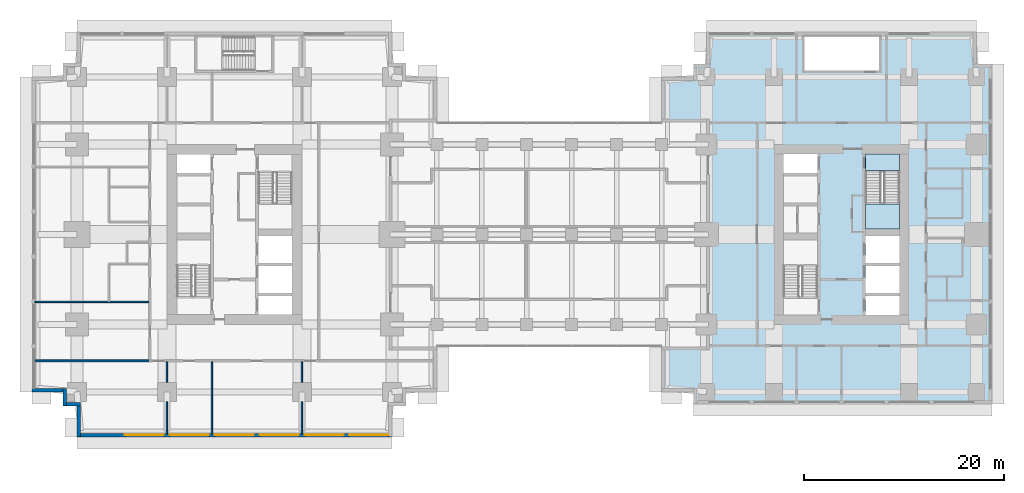
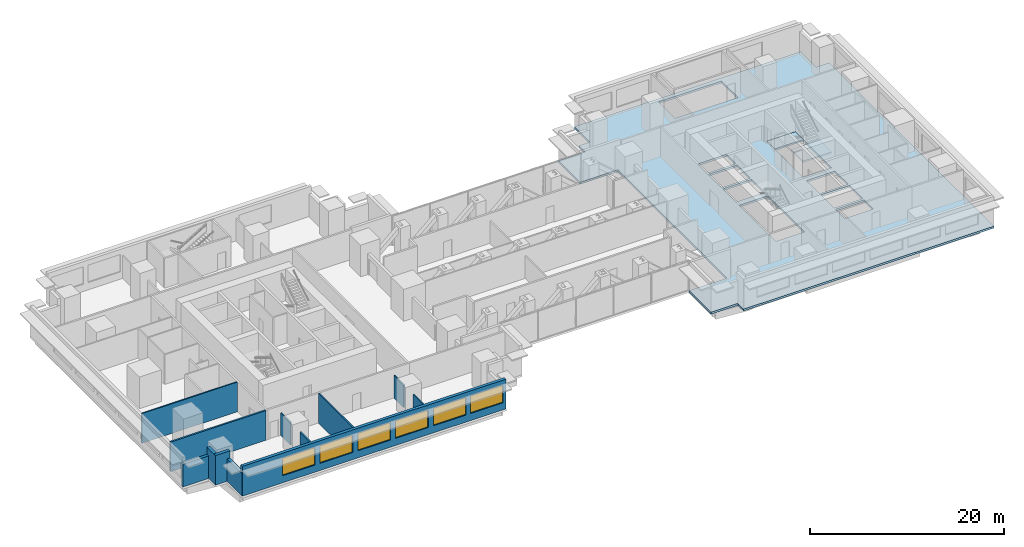
# One storey, part 6 of 14: 12 walls, 6 windows, 3 slabs, 6 openings, 1 element without a shape of its own.
"""IFC4 building model written with IfcOpenShell, lengths in metres."""

from ifc_helpers import new_model, si_unit, direction, frame, frame_2d, origin, place, context, subcontext, project, spatial, polyline, rectangle, outline, extrude, material, layer, layer_set, type_object, element, fill, aggregate, save


model = new_model("IFC4")

# Units and contexts
model_context = context("Model", 3, precision=1e-05, world=origin(), true_north=direction((0.0, 1.0)))
body_context = subcontext(model_context, "Body", "Model", "MODEL_VIEW")
ifc_project = project(units=[si_unit("LENGTHUNIT", "METRE"), si_unit("AREAUNIT", "SQUARE_METRE"), si_unit("VOLUMEUNIT", "CUBIC_METRE"), si_unit("PLANEANGLEUNIT", "RADIAN"), si_unit("MASSUNIT", "GRAM", prefix="KILO")], contexts=[model_context])

# Site, building, storey
site_placement = place(None, origin())
site = spatial("IfcSite", under=ifc_project, at=site_placement, CompositionType="ELEMENT")
building_placement = place(site_placement, origin())
building = spatial("IfcBuilding", under=site, at=building_placement, Name="Namib Vertical Campus", CompositionType="ELEMENT")
storey_placement = place(building_placement, frame((0.0, 0.0, 133.0)))
storey = spatial("IfcBuildingStorey", under=building, at=storey_placement, Name="L31", CompositionType="ELEMENT", Elevation=133.0)

# Slab
ifc_material_1 = material(Name="Concrete C40/50", Category="concrete")
ifc_layer_1 = layer(ifc_material_1, 0.25)
ifc_layer_set_1 = layer_set([ifc_layer_1], Name="Concrete C40/50")
slab_type_1 = type_object("IfcSlabType", Name="Floor slab 250", PredefinedType="FLOOR", material=ifc_layer_set_1)
slab_1_placement = place(storey_placement, frame((0.0, 0.0, -0.25)))
element("IfcSlab", 1, at=slab_1_placement, inside=storey, type_object=slab_type_1, Name="Floor slab B L31", PredefinedType="FLOOR", context=body_context, shape_type="SweptSolid", body=[
    extrude(outline(polyline([(63.0, 9.0), (63.0, 4.5), (66.199951171875, 4.5), (66.199951171875, 3.300048828125), (96.050048828125, 3.300048828125), (96.050048828125, 37.300048828125), (94.5, 37.300048828125), (94.5, 40.5), (67.5, 40.5), (67.5, 37.300048828125), (66.199951171875, 37.300048828125), (66.199951171875, 36.0), (63.0, 36.0), (63.0, 31.5), (67.5, 31.5), (67.5, 9.0), (63.0, 9.0)]), holes=[polyline([(75.199951171875, 12.199951171875), (78.60009765625, 12.199951171875), (78.60009765625, 19.699951171875), (75.199951171875, 19.699951171875), (75.199951171875, 12.199951171875)]), polyline([(83.39990234375, 20.800048828125), (86.800048828125, 20.800048828125), (86.800048828125, 28.300048828125), (83.39990234375, 28.300048828125), (83.39990234375, 20.800048828125)]), polyline([(83.39990234375, 12.199951171875), (86.800048828125, 12.199951171875), (86.800048828125, 14.10009765625), (83.39990234375, 14.10009765625), (83.39990234375, 12.199951171875)]), polyline([(75.199951171875, 20.39990234375), (78.60009765625, 20.39990234375), (78.60009765625, 23.10009765625), (75.199951171875, 23.10009765625), (75.199951171875, 20.39990234375)]), polyline([(75.199951171875, 23.39990234375), (78.60009765625, 23.39990234375), (78.60009765625, 26.10009765625), (75.199951171875, 26.10009765625), (75.199951171875, 23.39990234375)]), polyline([(75.199951171875, 26.39990234375), (78.60009765625, 26.39990234375), (78.60009765625, 28.300048828125), (75.199951171875, 28.300048828125), (75.199951171875, 26.39990234375)]), polyline([(83.39990234375, 14.39990234375), (86.800048828125, 14.39990234375), (86.800048828125, 17.10009765625), (83.39990234375, 17.10009765625), (83.39990234375, 14.39990234375)]), polyline([(83.39990234375, 17.39990234375), (86.800048828125, 17.39990234375), (86.800048828125, 20.10009765625), (83.39990234375, 20.10009765625), (83.39990234375, 17.39990234375)]), polyline([(77.25, 36.60009765625), (84.75, 36.60009765625), (84.75, 40.0), (77.25, 40.0), (77.25, 36.60009765625)])]), origin(), (0.0, 0.0, 1.0), 0.25),
])

# Stair, slabs
ifc_material_2 = material(Name="Concrete C40/50 precast", Category="concrete")
stair_type = type_object("IfcStairType", Name="Exit stair 4000 rise 24 risers 3400 wide", PredefinedType="HALF_TURN_STAIR", material=ifc_material_2)
stair_placement = place(storey_placement, origin())
stair = element("IfcStair", 2, at=stair_placement, inside=storey, type_object=stair_type, Name="Exit stair B-S2 L31", PredefinedType="HALF_TURN_STAIR")
ifc_material_3 = material(Name="Concrete C40/50", Category="concrete")
ifc_layer_2 = layer(ifc_material_3, 0.199951171875)
ifc_layer_set_2 = layer_set([ifc_layer_2], Name="Concrete C40/50")
slab_type_2 = type_object("IfcSlabType", Name="Stair landing 200", PredefinedType="LANDING", material=ifc_layer_set_2)
slab_2_placement = place(storey_placement, frame((0.0, 0.0, -0.199951171875)))
slab_2 = element("IfcSlab", 3, at=slab_2_placement, type_object=slab_type_2, Name="B-S2 landing 1", PredefinedType="LANDING", context=body_context, shape_type="SweptSolid", body=[
    extrude(outline(polyline([(83.39990234375, 26.64599609375), (86.800048828125, 26.64599609375), (86.800048828125, 28.300048828125), (83.39990234375, 28.300048828125), (83.39990234375, 26.64599609375)])), origin(), (0.0, 0.0, 1.0), 0.199951171875),
])
slab_3_placement = place(storey_placement, frame((0.0, 0.0, 1.800048828125)))
slab_3 = element("IfcSlab", 4, at=slab_3_placement, type_object=slab_type_2, Name="B-S2 landing 2", PredefinedType="LANDING", context=body_context, shape_type="SweptSolid", body=[
    extrude(outline(polyline([(83.39990234375, 20.800048828125), (86.800048828125, 20.800048828125), (86.800048828125, 23.27392578125), (83.39990234375, 23.27392578125), (83.39990234375, 20.800048828125)])), origin(), (0.0, 0.0, 1.0), 0.199951171875),
])
aggregate(stair, [slab_2, slab_3])

# Walls
ifc_material_4 = material(Name="Concrete masonry", Category="masonry")
ifc_layer_3 = layer(ifc_material_4, 0.199951171875)
ifc_layer_set_3 = layer_set([ifc_layer_3], Name="Corridor wall 200")
wall_type_1 = type_object("IfcWallType", Name="Corridor wall 200", PredefinedType="SOLIDWALL", material=ifc_layer_set_3)
wall_1_placement = place(storey_placement, frame((0.300048828125, 7.60009765625, 0.0), z_axis=(0.0, 0.0, 1.0), x_axis=(1.0, 0.0, 0.0)))
element("IfcWall", 5, at=wall_1_placement, inside=storey, type_object=wall_type_1, Name="Partition A L31 BSW", PredefinedType="SOLIDWALL", context=body_context, shape_type="SweptSolid", body=[
    extrude(rectangle(XDim=11.39990234375, YDim=0.199951171875, at=frame_2d((5.699951171875, 0.0))), origin(), (0.0, 0.0, 1.0), 3.75),
])
ifc_material_5 = material(Name="Concrete C40/50", Category="concrete")
ifc_layer_4 = layer(ifc_material_5, 0.35009765625)
ifc_layer_set_4 = layer_set([ifc_layer_4], Name="Concrete C40/50")
wall_type_2 = type_object("IfcWallType", Name="External wall 350 bush-hammered concrete", PredefinedType="STANDARD", material=ifc_layer_set_4)
wall_2_placement = place(storey_placement, frame((4.675048828125, 3.429931640625, 0.0), z_axis=(0.0, 0.0, 1.0), x_axis=(0.0, -1.0, 0.0)))
element("IfcWall", 6, at=wall_2_placement, inside=storey, type_object=wall_type_2, Name="External wall L31 F01", PredefinedType="STANDARD", context=body_context, shape_type="SweptSolid", body=[
    extrude(rectangle(XDim=3.409912109375, YDim=0.35009765625, at=frame_2d((1.705078125, 0.0))), origin(), (0.0, 0.0, 1.0), 2.85009765625),
])

# Wall, openings, windows
wall_3_placement = place(storey_placement, frame((4.52001953125, 0.175048828125, 0.0), z_axis=(0.0, 0.0, 1.0), x_axis=(1.0, 0.0, 0.0)))
wall_3 = element("IfcWall", 7, at=wall_3_placement, inside=storey, type_object=wall_type_2, Name="External wall L31 F02", PredefinedType="STANDARD", context=body_context, shape_type="SweptSolid", body=[
    extrude(rectangle(XDim=31.4599609375, YDim=0.35009765625, at=frame_2d((15.72998046875, 0.0))), origin(), (0.0, 0.0, 1.0), 3.75),
])
opening_1_placement = place(wall_3_placement, frame((4.780029296875, 0.0, 0.89990234375)))
opening_1 = element("IfcOpeningElement", 8, at=opening_1_placement, cuts=wall_3, Name="Opening W1", PredefinedType="OPENING", context=body_context, shape_type="SweptSolid", body=[
    extrude(rectangle(XDim=3.89990234375, YDim=2.199951171875, at=frame_2d((1.949951171875, 1.10009765625))), frame((0.0, 0.18505859375, 0.0), z_axis=(0.0, -1.0, 0.0), x_axis=(1.0, 0.0, 0.0)), (0.0, 0.0, 1.0), 0.3701171875),
])
opening_2_placement = place(wall_3_placement, frame((9.280029296875, 0.0, 0.89990234375)))
opening_2 = element("IfcOpeningElement", 9, at=opening_2_placement, cuts=wall_3, Name="Opening W1", PredefinedType="OPENING", context=body_context, shape_type="SweptSolid", body=[
    extrude(rectangle(XDim=3.89990234375, YDim=2.199951171875, at=frame_2d((1.949951171875, 1.10009765625))), frame((0.0, 0.18505859375, 0.0), z_axis=(0.0, -1.0, 0.0), x_axis=(1.0, 0.0, 0.0)), (0.0, 0.0, 1.0), 0.3701171875),
])
opening_3_placement = place(wall_3_placement, frame((13.780029296875, 0.0, 0.89990234375)))
opening_3 = element("IfcOpeningElement", 10, at=opening_3_placement, cuts=wall_3, Name="Opening W1", PredefinedType="OPENING", context=body_context, shape_type="SweptSolid", body=[
    extrude(rectangle(XDim=3.89990234375, YDim=2.199951171875, at=frame_2d((1.949951171875, 1.10009765625))), frame((0.0, 0.18505859375, 0.0), z_axis=(0.0, -1.0, 0.0), x_axis=(1.0, 0.0, 0.0)), (0.0, 0.0, 1.0), 0.3701171875),
])
opening_4_placement = place(wall_3_placement, frame((18.280029296875, 0.0, 0.89990234375)))
opening_4 = element("IfcOpeningElement", 11, at=opening_4_placement, cuts=wall_3, Name="Opening W1", PredefinedType="OPENING", context=body_context, shape_type="SweptSolid", body=[
    extrude(rectangle(XDim=3.89990234375, YDim=2.199951171875, at=frame_2d((1.949951171875, 1.10009765625))), frame((0.0, 0.18505859375, 0.0), z_axis=(0.0, -1.0, 0.0), x_axis=(1.0, 0.0, 0.0)), (0.0, 0.0, 1.0), 0.3701171875),
])
opening_5_placement = place(wall_3_placement, frame((22.780029296875, 0.0, 0.89990234375)))
opening_5 = element("IfcOpeningElement", 12, at=opening_5_placement, cuts=wall_3, Name="Opening W1", PredefinedType="OPENING", context=body_context, shape_type="SweptSolid", body=[
    extrude(rectangle(XDim=3.89990234375, YDim=2.199951171875, at=frame_2d((1.949951171875, 1.10009765625))), frame((0.0, 0.18505859375, 0.0), z_axis=(0.0, -1.0, 0.0), x_axis=(1.0, 0.0, 0.0)), (0.0, 0.0, 1.0), 0.3701171875),
])
opening_6_placement = place(wall_3_placement, frame((27.2099609375, 0.0, 0.89990234375)))
opening_6 = element("IfcOpeningElement", 13, at=opening_6_placement, cuts=wall_3, Name="Opening W1", PredefinedType="OPENING", context=body_context, shape_type="SweptSolid", body=[
    extrude(rectangle(XDim=3.89990234375, YDim=2.199951171875, at=frame_2d((1.949951171875, 1.10009765625))), frame((0.0, 0.18505859375, 0.0), z_axis=(0.0, -1.0, 0.0), x_axis=(1.0, 0.0, 0.0)), (0.0, 0.0, 1.0), 0.3701171875),
])
ifc_material_6 = material(Name="Dark tinted glass in black aluminium frame", Category="aluminium")
window_type = type_object("IfcWindowType", Name="Ribbon window 3900x2200", PartitioningType="SINGLE_PANEL", PredefinedType="WINDOW", material=ifc_material_6)
window_1_placement = place(opening_1_placement, origin())
window_1 = element("IfcWindow", 14, at=window_1_placement, inside=storey, type_object=window_type, Name="Window W1 L31 F02-2", OverallHeight=2.199951171875, OverallWidth=3.89990234375, PartitioningType="SINGLE_PANEL", PredefinedType="WINDOW", context=body_context, shape_type="SweptSolid", body=[
    extrude(rectangle(XDim=3.89990234375, YDim=2.199951171875, at=frame_2d((1.949951171875, 1.10009765625))), frame((0.0, 0.030029296875, 0.0), z_axis=(0.0, -1.0, 0.0), x_axis=(1.0, 0.0, 0.0)), (0.0, 0.0, 1.0), 0.06005859375),
])
fill(opening_1, window_1)
window_2_placement = place(opening_2_placement, origin())
window_2 = element("IfcWindow", 15, at=window_2_placement, inside=storey, type_object=window_type, Name="Window W1 L31 F02-3", OverallHeight=2.199951171875, OverallWidth=3.89990234375, PartitioningType="SINGLE_PANEL", PredefinedType="WINDOW", context=body_context, shape_type="SweptSolid", body=[
    extrude(rectangle(XDim=3.89990234375, YDim=2.199951171875, at=frame_2d((1.949951171875, 1.10009765625))), frame((0.0, 0.030029296875, 0.0), z_axis=(0.0, -1.0, 0.0), x_axis=(1.0, 0.0, 0.0)), (0.0, 0.0, 1.0), 0.06005859375),
])
fill(opening_2, window_2)
window_3_placement = place(opening_3_placement, origin())
window_3 = element("IfcWindow", 16, at=window_3_placement, inside=storey, type_object=window_type, Name="Window W1 L31 F02-4", OverallHeight=2.199951171875, OverallWidth=3.89990234375, PartitioningType="SINGLE_PANEL", PredefinedType="WINDOW", context=body_context, shape_type="SweptSolid", body=[
    extrude(rectangle(XDim=3.89990234375, YDim=2.199951171875, at=frame_2d((1.949951171875, 1.10009765625))), frame((0.0, 0.030029296875, 0.0), z_axis=(0.0, -1.0, 0.0), x_axis=(1.0, 0.0, 0.0)), (0.0, 0.0, 1.0), 0.06005859375),
])
fill(opening_3, window_3)
window_4_placement = place(opening_4_placement, origin())
window_4 = element("IfcWindow", 17, at=window_4_placement, inside=storey, type_object=window_type, Name="Window W1 L31 F02-5", OverallHeight=2.199951171875, OverallWidth=3.89990234375, PartitioningType="SINGLE_PANEL", PredefinedType="WINDOW", context=body_context, shape_type="SweptSolid", body=[
    extrude(rectangle(XDim=3.89990234375, YDim=2.199951171875, at=frame_2d((1.949951171875, 1.10009765625))), frame((0.0, 0.030029296875, 0.0), z_axis=(0.0, -1.0, 0.0), x_axis=(1.0, 0.0, 0.0)), (0.0, 0.0, 1.0), 0.06005859375),
])
fill(opening_4, window_4)
window_5_placement = place(opening_5_placement, origin())
window_5 = element("IfcWindow", 18, at=window_5_placement, inside=storey, type_object=window_type, Name="Window W1 L31 F02-6", OverallHeight=2.199951171875, OverallWidth=3.89990234375, PartitioningType="SINGLE_PANEL", PredefinedType="WINDOW", context=body_context, shape_type="SweptSolid", body=[
    extrude(rectangle(XDim=3.89990234375, YDim=2.199951171875, at=frame_2d((1.949951171875, 1.10009765625))), frame((0.0, 0.030029296875, 0.0), z_axis=(0.0, -1.0, 0.0), x_axis=(1.0, 0.0, 0.0)), (0.0, 0.0, 1.0), 0.06005859375),
])
fill(opening_5, window_5)
window_6_placement = place(opening_6_placement, origin())
window_6 = element("IfcWindow", 19, at=window_6_placement, inside=storey, type_object=window_type, Name="Window W1 L31 F02-7", OverallHeight=2.199951171875, OverallWidth=3.89990234375, PartitioningType="SINGLE_PANEL", PredefinedType="WINDOW", context=body_context, shape_type="SweptSolid", body=[
    extrude(rectangle(XDim=3.89990234375, YDim=2.199951171875, at=frame_2d((1.949951171875, 1.10009765625))), frame((0.0, 0.030029296875, 0.0), z_axis=(0.0, -1.0, 0.0), x_axis=(1.0, 0.0, 0.0)), (0.0, 0.0, 1.0), 0.06005859375),
])
fill(opening_6, window_6)

# Walls
wall_4_placement = place(storey_placement, frame((0.02001953125, 4.675048828125, 0.0), z_axis=(0.0, 0.0, 1.0), x_axis=(1.0, 0.0, 0.0)))
element("IfcWall", 20, at=wall_4_placement, inside=storey, type_object=wall_type_2, Name="External wall L31 F22", PredefinedType="STANDARD", context=body_context, shape_type="SweptSolid", body=[
    extrude(rectangle(XDim=3.409912109375, YDim=0.35009765625, at=frame_2d((1.705078125, 0.0))), origin(), (0.0, 0.0, 1.0), 2.85009765625),
])
for number, where, z_axis, x_axis, name in (
    (21, (3.27490234375, 4.830078125, 0.0), (0.0, 0.0, 1.0), (0.0, -1.0, 0.0), "External wall L31 F23"),
    (22, (3.1201171875, 3.27490234375, 0.0), (0.0, 0.0, 1.0), (1.0, 0.0, 0.0), "External wall L31 F24"),
):
    element("IfcWall", number, at=place(storey_placement, frame(where, z_axis=z_axis, x_axis=x_axis)), inside=storey, type_object=wall_type_2, Name=name, PredefinedType="STANDARD", context=body_context, shape_type="SweptSolid", body=[
        extrude(rectangle(XDim=1.7099609375, YDim=0.35009765625, at=frame_2d((0.85498046875, 0.0))), origin(), (0.0, 0.0, 1.0), 3.75),
    ])
ifc_material_7 = material(Name="Gypsum board on steel studs", Category="steel")
ifc_layer_5 = layer(ifc_material_7, 0.14990234375)
ifc_layer_set_5 = layer_set([ifc_layer_5], Name="Gypsum board on steel studs")
wall_type_3 = type_object("IfcWallType", Name="Partition 150", PredefinedType="PARTITIONING", material=ifc_layer_set_5)
wall_5_placement = place(storey_placement, frame((13.5, 0.300048828125, 0.0), z_axis=(0.0, 0.0, 1.0), x_axis=(0.0, 1.0, 0.0)))
element("IfcWall", 23, at=wall_5_placement, inside=storey, type_object=wall_type_3, Name="Partition A L31 PS1", PredefinedType="PARTITIONING", context=body_context, shape_type="SweptSolid", body=[
    extrude(rectangle(XDim=3.22998046875, YDim=0.14990234375, at=frame_2d((1.614990234375, 0.0))), origin(), (0.0, 0.0, 1.0), 2.85009765625),
])
wall_6_placement = place(storey_placement, frame((13.5, 5.469970703125, 0.0), z_axis=(0.0, 0.0, 1.0), x_axis=(0.0, 1.0, 0.0)))
element("IfcWall", 24, at=wall_6_placement, inside=storey, type_object=wall_type_3, Name="Partition A L31 PS1", PredefinedType="PARTITIONING", context=body_context, shape_type="SweptSolid", body=[
    extrude(rectangle(XDim=2.030029296875, YDim=0.14990234375, at=frame_2d((1.01513671875, 0.0))), origin(), (0.0, 0.0, 1.0), 2.85009765625),
])
wall_7_placement = place(storey_placement, frame((18.0, 0.300048828125, 0.0), z_axis=(0.0, 0.0, 1.0), x_axis=(0.0, 1.0, 0.0)))
element("IfcWall", 25, at=wall_7_placement, inside=storey, type_object=wall_type_3, Name="Partition A L31 PS2", PredefinedType="PARTITIONING", context=body_context, shape_type="SweptSolid", body=[
    extrude(rectangle(XDim=7.199951171875, YDim=0.14990234375, at=frame_2d((3.60009765625, 0.0))), origin(), (0.0, 0.0, 1.0), 3.75),
])
wall_8_placement = place(storey_placement, frame((27.0, 0.300048828125, 0.0), z_axis=(0.0, 0.0, 1.0), x_axis=(0.0, 1.0, 0.0)))
element("IfcWall", 26, at=wall_8_placement, inside=storey, type_object=wall_type_3, Name="Partition A L31 PS3", PredefinedType="PARTITIONING", context=body_context, shape_type="SweptSolid", body=[
    extrude(rectangle(XDim=3.22998046875, YDim=0.14990234375, at=frame_2d((1.614990234375, 0.0))), origin(), (0.0, 0.0, 1.0), 2.85009765625),
])
wall_9_placement = place(storey_placement, frame((27.0, 5.469970703125, 0.0), z_axis=(0.0, 0.0, 1.0), x_axis=(0.0, 1.0, 0.0)))
element("IfcWall", 27, at=wall_9_placement, inside=storey, type_object=wall_type_3, Name="Partition A L31 PS3", PredefinedType="PARTITIONING", context=body_context, shape_type="SweptSolid", body=[
    extrude(rectangle(XDim=2.030029296875, YDim=0.14990234375, at=frame_2d((1.01513671875, 0.0))), origin(), (0.0, 0.0, 1.0), 2.85009765625),
])
wall_10_placement = place(storey_placement, frame((0.300048828125, 13.5, 0.0), z_axis=(0.0, 0.0, 1.0), x_axis=(1.0, 0.0, 0.0)))
element("IfcWall", 28, at=wall_10_placement, inside=storey, type_object=wall_type_3, Name="Partition A L31 PW1", PredefinedType="PARTITIONING", context=body_context, shape_type="SweptSolid", body=[
    extrude(rectangle(XDim=11.39990234375, YDim=0.14990234375, at=frame_2d((5.699951171875, 0.0))), origin(), (0.0, 0.0, 1.0), 3.75),
])

save(model, "model.ifc")
